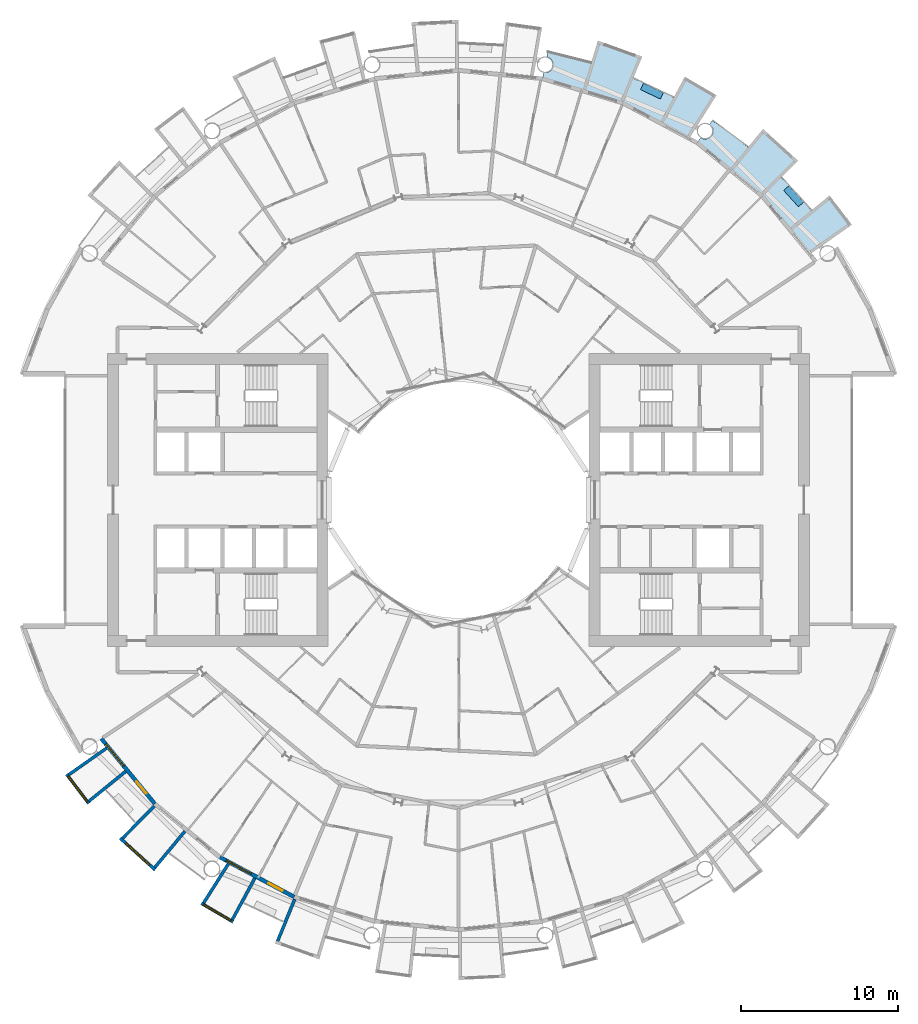
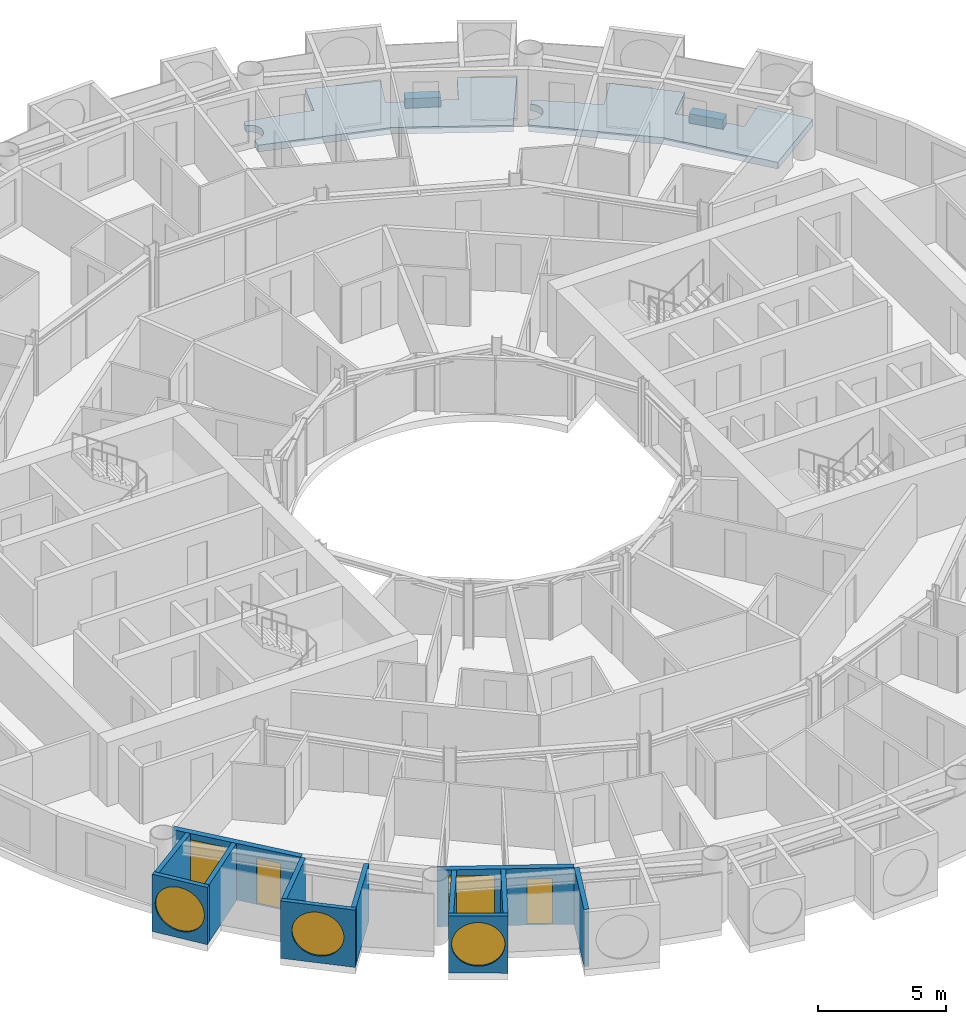
# One storey, part 12 of 26: 12 walls, 5 windows, 4 slabs, 2 doors, 7 openings.
"""IFC4 building model written with IfcOpenShell, lengths in metres."""

from ifc_helpers import new_model, si_unit, direction, frame, frame_2d, origin, place, context, subcontext, project, spatial, polyline, rectangle, circle, outline, extrude, material, layer, layer_set, type_object, element, fill, save


model = new_model("IFC4")

# Units and contexts
model_context = context("Model", 3, precision=1e-05, world=origin(), true_north=direction((0.0, 1.0)))
body_context = subcontext(model_context, "Body", "Model", "MODEL_VIEW")
ifc_project = project(units=[si_unit("LENGTHUNIT", "METRE"), si_unit("AREAUNIT", "SQUARE_METRE"), si_unit("VOLUMEUNIT", "CUBIC_METRE"), si_unit("PLANEANGLEUNIT", "RADIAN"), si_unit("MASSUNIT", "GRAM", prefix="KILO")], contexts=[model_context])

# Site, building, storey
site_placement = place(None, origin())
site = spatial("IfcSite", under=ifc_project, at=site_placement, CompositionType="ELEMENT")
building_placement = place(site_placement, origin())
building = spatial("IfcBuilding", under=site, at=building_placement, Name="Maasbend Ring Residences", CompositionType="ELEMENT")
storey_placement = place(building_placement, frame((0.0, 0.0, 72.75)))
storey = spatial("IfcBuildingStorey", under=building, at=storey_placement, Name="L20", CompositionType="ELEMENT", Elevation=72.75)

# Slabs
ifc_material_1 = material(Name="Planting with climbing greenery")
ifc_layer_1 = layer(ifc_material_1, 0.449951171875)
ifc_layer_set_1 = layer_set([ifc_layer_1], Name="PLANTER-LG")
slab_type_1 = type_object("IfcSlabType", Name="PLANTER-LG", PredefinedType="USERDEFINED", material=ifc_layer_set_1)
slab_1_placement = place(storey_placement, frame((0.0, 0.0, -0.030029296875)))
element("IfcSlab", 1, at=slab_1_placement, inside=storey, type_object=slab_type_1, Name="Planter with climbing greenery 1", ObjectType="PLANTER", PredefinedType="USERDEFINED", context=body_context, shape_type="SweptSolid", body=[
    extrude(outline(polyline([(21.931884765625, 18.93310546875), (20.991943359375, 19.969970703125), (20.657958984375, 19.66796875), (21.597900390625, 18.631103515625), (21.931884765625, 18.93310546875)])), origin(), (0.0, 0.0, 1.0), 0.449951171875),
])
slab_2_placement = place(storey_placement, frame((0.0, 0.0, -0.030029296875)))
element("IfcSlab", 2, at=slab_2_placement, inside=storey, type_object=slab_type_1, Name="Planter with climbing greenery 2", ObjectType="PLANTER", PredefinedType="USERDEFINED", context=body_context, shape_type="SweptSolid", body=[
    extrude(outline(polyline([(13.01708984375, 25.885009765625), (11.7509765625, 26.48291015625), (11.55908203125, 26.076904296875), (12.824951171875, 25.47802734375), (13.01708984375, 25.885009765625)])), origin(), (0.0, 0.0, 1.0), 0.449951171875),
])
ifc_material_2 = material(Name="Concrete C40/50", Category="concrete")
ifc_layer_2 = layer(ifc_material_2, 0.199951171875)
ifc_layer_set_2 = layer_set([ifc_layer_2], Name="Concrete C40/50")
slab_type_2 = type_object("IfcSlabType", Name="SL-LOGGIA", PredefinedType="FLOOR", material=ifc_layer_set_2)
slab_3_placement = place(storey_placement, frame((0.0, 0.0, -0.35009765625)))
element("IfcSlab", 3, at=slab_3_placement, inside=storey, type_object=slab_type_2, Name="Loggia floor 2", PredefinedType="FLOOR", context=body_context, shape_type="SweptSolid", body=[
    extrude(outline(polyline([(5.43896484375, 27.154052734375), (5.451904296875, 27.153076171875), (5.464111328125, 27.15087890625), (5.47705078125, 27.15087890625), (5.489013671875, 27.14990234375), (5.501953125, 27.14990234375), (5.513916015625, 27.14990234375), (5.52587890625, 27.15087890625), (5.5390625, 27.15087890625), (5.551025390625, 27.153076171875), (5.56396484375, 27.154052734375), (5.575927734375, 27.156005859375), (5.587890625, 27.157958984375), (5.60107421875, 27.159912109375), (5.613037109375, 27.162109375), (5.625, 27.1650390625), (5.636962890625, 27.1689453125), (5.64892578125, 27.172119140625), (5.660888671875, 27.176025390625), (5.673095703125, 27.179931640625), (5.68408203125, 27.18408203125), (5.696044921875, 27.18896484375), (5.70703125, 27.194091796875), (5.718994140625, 27.198974609375), (5.72998046875, 27.2041015625), (5.740966796875, 27.2099609375), (5.751953125, 27.216064453125), (5.762939453125, 27.221923828125), (5.77294921875, 27.22900390625), (5.783935546875, 27.236083984375), (5.7939453125, 27.242919921875), (5.803955078125, 27.25), (5.81396484375, 27.258056640625), (5.823974609375, 27.264892578125), (5.8330078125, 27.27294921875), (5.843017578125, 27.281982421875), (5.85205078125, 27.2900390625), (5.861083984375, 27.299072265625), (5.868896484375, 27.30810546875), (5.8779296875, 27.31689453125), (5.885986328125, 27.325927734375), (5.89404296875, 27.3359375), (5.902099609375, 27.345947265625), (5.909912109375, 27.35498046875), (5.9169921875, 27.365966796875), (5.924072265625, 27.3759765625), (5.930908203125, 27.385986328125), (5.93701171875, 27.39697265625), (5.944091796875, 27.407958984375), (5.949951171875, 27.4189453125), (5.955078125, 27.429931640625), (5.9609375, 27.44091796875), (5.966064453125, 27.451904296875), (5.970947265625, 27.464111328125), (5.97509765625, 27.47509765625), (5.97998046875, 27.487060546875), (5.98388671875, 27.4990234375), (5.988037109375, 27.510986328125), (5.990966796875, 27.52294921875), (5.993896484375, 27.534912109375), (5.9970703125, 27.547119140625), (6.0, 27.55908203125), (6.001953125, 27.571044921875), (6.00390625, 27.583984375), (6.006103515625, 27.595947265625), (6.007080078125, 27.60791015625), (6.008056640625, 27.62109375), (6.009033203125, 27.633056640625), (6.009033203125, 27.64599609375), (6.010009765625, 27.657958984375), (6.009033203125, 27.6708984375), (6.009033203125, 27.68310546875), (6.008056640625, 27.695068359375), (6.007080078125, 27.7080078125), (6.006103515625, 27.719970703125), (6.00390625, 27.73291015625), (6.001953125, 27.7451171875), (6.0, 27.757080078125), (5.9970703125, 27.76904296875), (5.993896484375, 27.781982421875), (5.990966796875, 27.7939453125), (5.988037109375, 27.805908203125), (5.98388671875, 27.81689453125), (5.97998046875, 27.8291015625), (5.97509765625, 27.841064453125), (5.970947265625, 27.85302734375), (5.966064453125, 27.864013671875), (5.9609375, 27.875), (5.955078125, 27.886962890625), (5.949951171875, 27.89794921875), (5.944091796875, 27.907958984375), (5.93701171875, 27.9189453125), (5.930908203125, 27.929931640625), (5.924072265625, 27.93994140625), (5.9169921875, 27.950927734375), (5.909912109375, 27.9609375), (5.902099609375, 27.970947265625), (5.89404296875, 27.97998046875), (5.885986328125, 27.989990234375), (5.8779296875, 27.9990234375), (5.868896484375, 28.008056640625), (5.861083984375, 28.01708984375), (5.85205078125, 28.02587890625), (5.843017578125, 28.034912109375), (5.8330078125, 28.04296875), (5.823974609375, 28.051025390625), (5.81396484375, 28.05908203125), (5.803955078125, 28.06591796875), (5.7939453125, 28.072998046875), (5.783935546875, 28.080078125), (5.77294921875, 28.0869140625), (5.762939453125, 28.093994140625), (5.751953125, 28.10009765625), (5.740966796875, 28.10595703125), (5.72998046875, 28.112060546875), (5.718994140625, 28.116943359375), (5.70703125, 28.123046875), (5.696044921875, 28.126953125), (5.68408203125, 28.132080078125), (5.673095703125, 28.135986328125), (5.660888671875, 28.139892578125), (5.64892578125, 28.14404296875), (5.636962890625, 28.14794921875), (5.625, 28.15087890625), (5.613037109375, 28.154052734375), (5.60107421875, 28.156005859375), (5.657958984375, 28.443115234375), (5.657958984375, 28.443115234375), (5.657958984375, 28.443115234375), (6.5849609375, 28.241943359375), (6.5849609375, 28.241943359375), (7.506103515625, 28.011962890625), (7.506103515625, 28.011962890625), (8.41796875, 27.7509765625), (8.41796875, 27.7509765625), (8.41796875, 27.7509765625), (8.41796875, 27.7509765625), (8.41796875, 27.7509765625), (8.41796875, 27.7509765625), (8.41796875, 27.7509765625), (8.41796875, 27.7509765625), (8.41796875, 27.7509765625), (8.41796875, 27.7509765625), (8.41796875, 27.751953125), (8.41796875, 27.751953125), (8.41796875, 27.751953125), (8.41796875, 27.751953125), (8.41796875, 27.751953125), (8.41796875, 27.751953125), (8.41796875, 27.751953125), (8.85400390625, 29.18701171875), (8.85400390625, 29.18701171875), (8.85400390625, 29.18701171875), (11.672119140625, 28.177978515625), (11.672119140625, 28.177978515625), (11.672119140625, 28.177978515625), (11.097900390625, 26.79296875), (11.097900390625, 26.79296875), (11.097900390625, 26.79296875), (11.097900390625, 26.79296875), (11.097900390625, 26.79296875), (11.097900390625, 26.79296875), (11.097900390625, 26.79296875), (11.097900390625, 26.79296875), (11.097900390625, 26.79296875), (11.097900390625, 26.79296875), (11.097900390625, 26.7919921875), (11.097900390625, 26.7919921875), (11.097900390625, 26.7919921875), (11.097900390625, 26.7919921875), (11.097900390625, 26.7919921875), (11.097900390625, 26.7919921875), (11.097900390625, 26.7919921875), (11.968994140625, 26.4150390625), (11.968994140625, 26.4150390625), (12.825927734375, 26.009033203125), (12.825927734375, 26.009033203125), (13.669921875, 25.575927734375), (13.669921875, 25.575927734375), (13.669921875, 25.575927734375), (13.669921875, 25.575927734375), (13.669921875, 25.575927734375), (13.669921875, 25.575927734375), (13.669921875, 25.575927734375), (13.669921875, 25.575927734375), (13.669921875, 25.575927734375), (13.669921875, 25.575927734375), (13.6708984375, 25.575927734375), (13.6708984375, 25.575927734375), (13.6708984375, 25.575927734375), (13.6708984375, 25.575927734375), (13.6708984375, 25.575927734375), (13.6708984375, 25.575927734375), (13.6708984375, 25.575927734375), (14.3779296875, 26.89892578125), (14.3779296875, 26.89892578125), (14.3779296875, 26.89892578125), (16.39404296875, 25.718994140625), (16.39404296875, 25.718994140625), (16.39404296875, 25.718994140625), (14.64599609375, 22.97705078125), (14.64599609375, 22.97705078125), (14.64599609375, 22.97705078125), (12.806884765625, 23.9609375), (10.447021484375, 25.221923828125), (10.447021484375, 25.221923828125), (10.447021484375, 25.221923828125), (7.886962890625, 25.9990234375), (5.325927734375, 26.77490234375), (5.325927734375, 26.77490234375), (5.325927734375, 26.77490234375), (5.402099609375, 27.159912109375), (5.4150390625, 27.157958984375), (5.427001953125, 27.156005859375), (5.43896484375, 27.154052734375)])), origin(), (0.0, 0.0, 1.0), 0.320068359375),
])
slab_4_placement = place(storey_placement, frame((0.0, 0.0, -0.35009765625)))
element("IfcSlab", 4, at=slab_4_placement, inside=storey, type_object=slab_type_2, Name="Loggia floor 4", PredefinedType="FLOOR", context=body_context, shape_type="SweptSolid", body=[
    extrude(outline(polyline([(15.406005859375, 23.011962890625), (15.4169921875, 23.0048828125), (15.427978515625, 22.9990234375), (15.43896484375, 22.993896484375), (15.449951171875, 22.988037109375), (15.4609375, 22.98291015625), (15.472900390625, 22.97802734375), (15.48388671875, 22.972900390625), (15.49609375, 22.968994140625), (15.508056640625, 22.965087890625), (15.52001953125, 22.9609375), (15.531982421875, 22.9580078125), (15.5439453125, 22.955078125), (15.555908203125, 22.951904296875), (15.568115234375, 22.948974609375), (15.580078125, 22.947021484375), (15.593017578125, 22.945068359375), (15.60498046875, 22.943115234375), (15.616943359375, 22.94189453125), (15.6298828125, 22.94091796875), (15.64208984375, 22.93994140625), (15.655029296875, 22.93994140625), (15.6669921875, 22.93896484375), (15.679931640625, 22.93994140625), (15.69189453125, 22.93994140625), (15.7041015625, 22.94091796875), (15.717041015625, 22.94189453125), (15.72900390625, 22.943115234375), (15.741943359375, 22.945068359375), (15.75390625, 22.947021484375), (15.76611328125, 22.948974609375), (15.778076171875, 22.951904296875), (15.791015625, 22.955078125), (15.802978515625, 22.9580078125), (15.81494140625, 22.9609375), (15.825927734375, 22.965087890625), (15.837890625, 22.968994140625), (15.85009765625, 22.972900390625), (15.862060546875, 22.97802734375), (15.873046875, 22.98291015625), (15.884033203125, 22.988037109375), (15.89599609375, 22.993896484375), (15.906982421875, 22.9990234375), (15.9169921875, 23.0048828125), (15.927978515625, 23.011962890625), (15.93896484375, 23.01806640625), (15.948974609375, 23.02490234375), (15.9599609375, 23.031982421875), (15.969970703125, 23.0390625), (15.97998046875, 23.047119140625), (15.989013671875, 23.054931640625), (15.9990234375, 23.06298828125), (16.008056640625, 23.071044921875), (16.01708984375, 23.0791015625), (16.02587890625, 23.087890625), (16.034912109375, 23.096923828125), (16.0439453125, 23.10595703125), (16.052001953125, 23.115966796875), (16.06005859375, 23.125), (16.068115234375, 23.135009765625), (16.074951171875, 23.14501953125), (16.08203125, 23.155029296875), (16.089111328125, 23.1650390625), (16.095947265625, 23.176025390625), (16.10302734375, 23.18603515625), (16.10888671875, 23.197021484375), (16.114990234375, 23.2080078125), (16.12109375, 23.218994140625), (16.1259765625, 23.22998046875), (16.132080078125, 23.241943359375), (16.135986328125, 23.2529296875), (16.14111328125, 23.264892578125), (16.14501953125, 23.27587890625), (16.14892578125, 23.2880859375), (16.153076171875, 23.300048828125), (16.156982421875, 23.31201171875), (16.159912109375, 23.323974609375), (16.1630859375, 23.3359375), (16.1650390625, 23.347900390625), (16.16796875, 23.361083984375), (16.169921875, 23.373046875), (16.1708984375, 23.385009765625), (16.173095703125, 23.39794921875), (16.174072265625, 23.409912109375), (16.174072265625, 23.422119140625), (16.175048828125, 23.43505859375), (16.175048828125, 23.447021484375), (16.175048828125, 23.4599609375), (16.174072265625, 23.471923828125), (16.174072265625, 23.485107421875), (16.173095703125, 23.4970703125), (16.1708984375, 23.510009765625), (16.169921875, 23.52197265625), (16.16796875, 23.533935546875), (16.1650390625, 23.547119140625), (16.1630859375, 23.55908203125), (16.159912109375, 23.571044921875), (16.156982421875, 23.5830078125), (16.153076171875, 23.594970703125), (16.14892578125, 23.60693359375), (16.14501953125, 23.618896484375), (16.14111328125, 23.6298828125), (16.135986328125, 23.64208984375), (16.132080078125, 23.653076171875), (16.1259765625, 23.6650390625), (16.12109375, 23.676025390625), (16.114990234375, 23.68701171875), (16.10888671875, 23.697998046875), (16.10302734375, 23.708984375), (16.095947265625, 23.718994140625), (16.089111328125, 23.72998046875), (16.08203125, 23.739990234375), (16.074951171875, 23.75), (16.068115234375, 23.760009765625), (16.06005859375, 23.77001953125), (16.052001953125, 23.779052734375), (16.0439453125, 23.7890625), (16.034912109375, 23.798095703125), (16.02587890625, 23.806884765625), (16.01708984375, 23.81494140625), (16.008056640625, 23.823974609375), (15.9990234375, 23.83203125), (15.989013671875, 23.840087890625), (15.97998046875, 23.847900390625), (15.969970703125, 23.85498046875), (15.9599609375, 23.863037109375), (15.948974609375, 23.8701171875), (15.948974609375, 23.8701171875), (16.112060546875, 24.113037109375), (16.112060546875, 24.113037109375), (16.112060546875, 24.113037109375), (16.89208984375, 23.572998046875), (16.89208984375, 23.572998046875), (17.654052734375, 23.007080078125), (17.654052734375, 23.007080078125), (18.39697265625, 22.41796875), (18.39697265625, 22.41796875), (18.39697265625, 22.41796875), (18.39697265625, 22.41796875), (18.39697265625, 22.41796875), (18.39697265625, 22.41796875), (18.39697265625, 22.41796875), (18.39697265625, 22.41796875), (18.39697265625, 22.41796875), (18.39697265625, 22.41796875), (18.39697265625, 22.41796875), (18.39794921875, 22.41796875), (18.39794921875, 22.41796875), (18.39794921875, 22.41796875), (18.39794921875, 22.41796875), (18.39794921875, 22.41796875), (18.39794921875, 22.41796875), (19.34912109375, 23.576904296875), (19.34912109375, 23.576904296875), (19.34912109375, 23.576904296875), (21.56689453125, 21.56689453125), (21.56689453125, 21.56689453125), (21.56689453125, 21.56689453125), (20.506103515625, 20.506103515625), (20.506103515625, 20.506103515625), (20.506103515625, 20.506103515625), (20.506103515625, 20.506103515625), (20.506103515625, 20.506103515625), (20.506103515625, 20.506103515625), (20.506103515625, 20.506103515625), (20.506103515625, 20.506103515625), (20.506103515625, 20.506103515625), (20.506103515625, 20.506103515625), (20.506103515625, 20.506103515625), (20.506103515625, 20.506103515625), (20.506103515625, 20.506103515625), (20.506103515625, 20.506103515625), (20.506103515625, 20.506103515625), (20.506103515625, 20.506103515625), (20.506103515625, 20.506103515625), (21.166015625, 19.823974609375), (21.166015625, 19.823974609375), (21.802978515625, 19.12109375), (21.802978515625, 19.12109375), (22.4169921875, 18.39794921875), (22.4169921875, 18.39794921875), (22.4169921875, 18.39794921875), (22.4169921875, 18.39794921875), (22.4169921875, 18.39794921875), (22.4169921875, 18.39794921875), (22.4169921875, 18.39794921875), (22.4169921875, 18.39794921875), (22.4169921875, 18.39794921875), (22.4169921875, 18.39794921875), (22.4169921875, 18.39794921875), (22.4169921875, 18.39794921875), (22.41796875, 18.39794921875), (22.41796875, 18.39794921875), (22.41796875, 18.39794921875), (22.41796875, 18.39794921875), (22.41796875, 18.39794921875), (23.576904296875, 19.34912109375), (23.576904296875, 19.34912109375), (23.576904296875, 19.34912109375), (24.989013671875, 17.488037109375), (24.989013671875, 17.488037109375), (24.989013671875, 17.488037109375), (22.324951171875, 15.623046875), (22.324951171875, 15.623046875), (22.324951171875, 15.623046875), (21.001953125, 17.236083984375), (19.303955078125, 19.303955078125), (19.303955078125, 19.303955078125), (19.303955078125, 19.303955078125), (17.236083984375, 21.001953125), (15.1669921875, 22.698974609375), (15.1669921875, 22.698974609375), (15.1669921875, 22.698974609375), (15.385009765625, 23.02490234375), (15.385009765625, 23.02490234375), (15.39501953125, 23.01806640625), (15.406005859375, 23.011962890625)])), origin(), (0.0, 0.0, 1.0), 0.320068359375),
])

# Wall, opening, window
ifc_material_3 = material(Name="Pale anodised aluminium panel", Category="aluminium")
ifc_layer_3 = layer(ifc_material_3, 0.199951171875)
ifc_layer_set_3 = layer_set([ifc_layer_3], Name="EW-BOX")
wall_type_1 = type_object("IfcWallType", Name="EW-BOX", PredefinedType="SOLIDWALL", material=ifc_layer_set_3)
wall_1_placement = place(storey_placement, frame((-24.908935546875, -17.427001953125, -0.030029296875), z_axis=(0.0, 0.0, 1.0), x_axis=(0.60418752353, -0.796842165306, 0.0)))
wall_1 = element("IfcWall", 5, at=wall_1_placement, inside=storey, type_object=wall_type_1, Name="Box front S01", PredefinedType="SOLIDWALL", context=body_context, shape_type="SweptSolid", body=[
    extrude(rectangle(XDim=2.3369140625, YDim=0.199951171875, at=frame_2d((1.16845703125, 0.0))), origin(), (0.0, 0.0, 1.0), 2.72998046875),
])
opening_1_placement = place(wall_1_placement, frame((0.128173828125, 0.0, 0.330078125)))
opening_1 = element("IfcOpeningElement", 6, at=opening_1_placement, cuts=wall_1, Name="Opening W-RD", PredefinedType="OPENING", context=body_context, shape_type="SweptSolid", body=[
    extrude(circle(Radius=1.0400390625, at=frame_2d((1.0400390625, 1.0400390625))), frame((0.0, 0.10986328125, 0.0), z_axis=(0.0, -1.0, 0.0), x_axis=(1.0, 0.0, 0.0)), (0.0, 0.0, 1.0), 0.219970703125),
])
ifc_material_4 = material(Name="Aluminium and clear glass", Category="aluminium")
window_type_1 = type_object("IfcWindowType", Name="W-RD", PartitioningType="SINGLE_PANEL", PredefinedType="WINDOW", material=ifc_material_4)
window_1_placement = place(opening_1_placement, origin())
window_1 = element("IfcWindow", 7, at=window_1_placement, inside=storey, type_object=window_type_1, Name="Round window S01", OverallHeight=2.080078125, OverallWidth=2.080078125, PartitioningType="SINGLE_PANEL", PredefinedType="WINDOW", context=body_context, shape_type="SweptSolid", body=[
    extrude(circle(Radius=1.0400390625, at=frame_2d((1.0400390625, 1.0400390625))), frame((0.0, 0.030029296875, 0.0), z_axis=(0.0, -1.0, 0.0), x_axis=(1.0, 0.0, 0.0)), (0.0, 0.0, 1.0), 0.06005859375),
])
fill(opening_1, window_1)

# Walls
wall_2_placement = place(storey_placement, frame((-22.3701171875, -15.764892578125, -0.030029296875), z_axis=(0.0, 0.0, 1.0), x_axis=(-0.817256123454, -0.576274612209, 0.0)))
element("IfcWall", 8, at=wall_2_placement, inside=storey, type_object=wall_type_1, Name="Box side wall S01 left", PredefinedType="SOLIDWALL", context=body_context, shape_type="SweptSolid", body=[
    extrude(rectangle(XDim=2.932861328125, YDim=0.199951171875, at=frame_2d((1.46630859375, 0.0))), origin(), (0.0, 0.0, 1.0), 2.72998046875),
])
wall_3_placement = place(storey_placement, frame((-21.155029296875, -17.24609375, -0.030029296875), z_axis=(0.0, 0.0, 1.0), x_axis=(-0.775179004516, -0.631741648902, 0.0)))
element("IfcWall", 9, at=wall_3_placement, inside=storey, type_object=wall_type_1, Name="Box side wall S01 right", PredefinedType="SOLIDWALL", context=body_context, shape_type="SweptSolid", body=[
    extrude(rectangle(XDim=3.005859375, YDim=0.199951171875, at=frame_2d((1.5029296875, 0.0))), origin(), (0.0, 0.0, 1.0), 2.72998046875),
])

# Wall, opening, window
wall_4_placement = place(storey_placement, frame((-21.5, -21.492919921875, -0.030029296875), z_axis=(0.0, 0.0, 1.0), x_axis=(0.740998365753, -0.671506829416, 0.0)))
wall_4 = element("IfcWall", 10, at=wall_4_placement, inside=storey, type_object=wall_type_1, Name="Box front S03", PredefinedType="SOLIDWALL", context=body_context, shape_type="SweptSolid", body=[
    extrude(rectangle(XDim=2.9931640625, YDim=0.199951171875, at=frame_2d((1.49658203125, 0.0))), origin(), (0.0, 0.0, 1.0), 2.72998046875),
])
opening_2_placement = place(wall_4_placement, frame((0.45654296875, 0.0, 0.330078125)))
opening_2 = element("IfcOpeningElement", 11, at=opening_2_placement, cuts=wall_4, Name="Opening W-RD", PredefinedType="OPENING", context=body_context, shape_type="SweptSolid", body=[
    extrude(circle(Radius=1.0400390625, at=frame_2d((1.0400390625, 1.0400390625))), frame((0.0, 0.10986328125, 0.0), z_axis=(0.0, -1.0, 0.0), x_axis=(1.0, 0.0, 0.0)), (0.0, 0.0, 1.0), 0.219970703125),
])
window_2_placement = place(opening_2_placement, origin())
window_2 = element("IfcWindow", 12, at=window_2_placement, inside=storey, type_object=window_type_1, Name="Round window S03", OverallHeight=2.080078125, OverallWidth=2.080078125, PartitioningType="SINGLE_PANEL", PredefinedType="WINDOW", context=body_context, shape_type="SweptSolid", body=[
    extrude(circle(Radius=1.0400390625, at=frame_2d((1.0400390625, 1.0400390625))), frame((0.0, 0.030029296875, 0.0), z_axis=(0.0, -1.0, 0.0), x_axis=(1.0, 0.0, 0.0)), (0.0, 0.0, 1.0), 0.06005859375),
])
fill(opening_2, window_2)

# Walls
wall_5_placement = place(storey_placement, frame((-19.322998046875, -19.449951171875, -0.030029296875), z_axis=(0.0, 0.0, 1.0), x_axis=(-0.704476739375, -0.709727076896, 0.0)))
element("IfcWall", 13, at=wall_5_placement, inside=storey, type_object=wall_type_1, Name="Box side wall S03 left", PredefinedType="SOLIDWALL", context=body_context, shape_type="SweptSolid", body=[
    extrude(rectangle(XDim=2.883056640625, YDim=0.199951171875, at=frame_2d((1.44140625, 0.0))), origin(), (0.0, 0.0, 1.0), 2.72998046875),
])
wall_6_placement = place(storey_placement, frame((-17.384033203125, -21.041015625, -0.030029296875), z_axis=(0.0, 0.0, 1.0), x_axis=(-0.63709551667, -0.770784861449, 0.0)))
element("IfcWall", 14, at=wall_6_placement, inside=storey, type_object=wall_type_1, Name="Box side wall S03 right", PredefinedType="SOLIDWALL", context=body_context, shape_type="SweptSolid", body=[
    extrude(rectangle(XDim=3.005859375, YDim=0.199951171875, at=frame_2d((1.5029296875, 0.0))), origin(), (0.0, 0.0, 1.0), 2.72998046875),
])

# Wall, opening, window
wall_7_placement = place(storey_placement, frame((-16.343994140625, -25.633056640625, -0.030029296875), z_axis=(0.0, 0.0, 1.0), x_axis=(0.863346521872, -0.504611517081, 0.0)))
wall_7 = element("IfcWall", 15, at=wall_7_placement, inside=storey, type_object=wall_type_1, Name="Box front S05", PredefinedType="SOLIDWALL", context=body_context, shape_type="SweptSolid", body=[
    extrude(rectangle(XDim=2.33642578125, YDim=0.199951171875, at=frame_2d((1.168212890625, 0.0))), origin(), (0.0, 0.0, 1.0), 2.72998046875),
])
opening_3_placement = place(wall_7_placement, frame((0.128173828125, 0.0, 0.330078125)))
opening_3 = element("IfcOpeningElement", 16, at=opening_3_placement, cuts=wall_7, Name="Opening W-RD", PredefinedType="OPENING", context=body_context, shape_type="SweptSolid", body=[
    extrude(circle(Radius=1.0400390625, at=frame_2d((1.0400390625, 1.0400390625))), frame((0.0, 0.10986328125, 0.0), z_axis=(0.0, -1.0, 0.0), x_axis=(1.0, 0.0, 0.0)), (0.0, 0.0, 1.0), 0.219970703125),
])
window_3_placement = place(opening_3_placement, origin())
window_3 = element("IfcWindow", 17, at=window_3_placement, inside=storey, type_object=window_type_1, Name="Round window S05", OverallHeight=2.080078125, OverallWidth=2.080078125, PartitioningType="SINGLE_PANEL", PredefinedType="WINDOW", context=body_context, shape_type="SweptSolid", body=[
    extrude(circle(Radius=1.0400390625, at=frame_2d((1.0400390625, 1.0400390625))), frame((0.0, 0.030029296875, 0.0), z_axis=(0.0, -1.0, 0.0), x_axis=(1.0, 0.0, 0.0)), (0.0, 0.0, 1.0), 0.06005859375),
])
fill(opening_3, window_3)

# Walls
wall_8_placement = place(storey_placement, frame((-14.635009765625, -23.1259765625, -0.030029296875), z_axis=(0.0, 0.0, 1.0), x_axis=(-0.534437802731, -0.845207805816, 0.0)))
element("IfcWall", 18, at=wall_8_placement, inside=storey, type_object=wall_type_1, Name="Box side wall S05 left", PredefinedType="SOLIDWALL", context=body_context, shape_type="SweptSolid", body=[
    extrude(rectangle(XDim=2.931884765625, YDim=0.199951171875, at=frame_2d((1.4658203125, 0.0))), origin(), (0.0, 0.0, 1.0), 2.72998046875),
])
wall_9_placement = place(storey_placement, frame((-12.945068359375, -24.029052734375, -0.030029296875), z_axis=(0.0, 0.0, 1.0), x_axis=(-0.474424310775, -0.88029629861, 0.0)))
element("IfcWall", 19, at=wall_9_placement, inside=storey, type_object=wall_type_1, Name="Box side wall S05 right", PredefinedType="SOLIDWALL", context=body_context, shape_type="SweptSolid", body=[
    extrude(rectangle(XDim=3.005859375, YDim=0.199951171875, at=frame_2d((1.5029296875, 0.0))), origin(), (0.0, 0.0, 1.0), 2.72998046875),
])
wall_10_placement = place(storey_placement, frame((-10.408935546875, -25.364013671875, -0.030029296875), z_axis=(0.0, 0.0, 1.0), x_axis=(-0.379509886562, -0.925187681501, 0.0)))
element("IfcWall", 20, at=wall_10_placement, inside=storey, type_object=wall_type_1, Name="Box side wall S07 left", PredefinedType="SOLIDWALL", context=body_context, shape_type="SweptSolid", body=[
    extrude(rectangle(XDim=2.882568359375, YDim=0.199951171875, at=frame_2d((1.44140625, 0.0))), origin(), (0.0, 0.0, 1.0), 2.72998046875),
])

# Wall, openings, door, window
ifc_material_5 = material(Name="Aluminium clad insulated panel", Category="aluminium")
ifc_layer_4 = layer(ifc_material_5, 0.25)
ifc_layer_set_4 = layer_set([ifc_layer_4], Name="EW-GL")
wall_type_2 = type_object("IfcWallType", Name="EW-GL", PredefinedType="SOLIDWALL", material=ifc_layer_set_4)
wall_11_placement = place(storey_placement, frame((-22.698974609375, -15.1669921875, 0.0), z_axis=(0.0, 0.0, 1.0), x_axis=(0.634382322723, -0.773019449054, 0.0)))
wall_11 = element("IfcWall", 21, at=wall_11_placement, inside=storey, type_object=wall_type_2, Name="External wall S01", PredefinedType="SOLIDWALL", context=body_context, shape_type="SweptSolid", body=[
    extrude(rectangle(XDim=5.351806640625, YDim=0.25, at=frame_2d((2.67578125, 0.0))), origin(), (0.0, 0.0, 1.0), 2.699951171875),
])
opening_4_placement = place(wall_11_placement, frame((0.441162109375, 0.0, 0.300048828125)))
opening_4 = element("IfcOpeningElement", 22, at=opening_4_placement, cuts=wall_11, Name="Opening W-BX", PredefinedType="OPENING", context=body_context, shape_type="SweptSolid", body=[
    extrude(rectangle(XDim=1.800048828125, YDim=2.10009765625, at=frame_2d((0.89990234375, 1.050048828125))), frame((0.0, 0.135009765625, 0.0), z_axis=(0.0, -1.0, 0.0), x_axis=(1.0, 0.0, 0.0)), (0.0, 0.0, 1.0), 0.27001953125),
])
opening_5_placement = place(wall_11_placement, frame((3.510498046875, 0.0, 0.0)))
opening_5 = element("IfcOpeningElement", 23, at=opening_5_placement, cuts=wall_11, Name="Opening D-LG", PredefinedType="OPENING", context=body_context, shape_type="SweptSolid", body=[
    extrude(rectangle(XDim=1.0, YDim=2.199951171875, at=frame_2d((0.5, 1.10009765625))), frame((0.0, 0.135009765625, 0.0), z_axis=(0.0, -1.0, 0.0), x_axis=(1.0, 0.0, 0.0)), (0.0, 0.0, 1.0), 0.27001953125),
])
ifc_material_6 = material(Name="Aluminium and clear glass", Category="aluminium")
door_type = type_object("IfcDoorType", Name="D-LG", OperationType="SINGLE_SWING_LEFT", PredefinedType="DOOR", material=ifc_material_6)
door_1_placement = place(opening_5_placement, origin())
door_1 = element("IfcDoor", 24, at=door_1_placement, inside=storey, type_object=door_type, Name="Loggia door S02", OperationType="SINGLE_SWING_LEFT", OverallHeight=2.199951171875, OverallWidth=1.0, PredefinedType="DOOR", context=body_context, shape_type="SweptSolid", body=[
    extrude(rectangle(XDim=1.0, YDim=2.199951171875, at=frame_2d((0.5, 1.10009765625))), frame((0.0, 0.02490234375, 0.0), z_axis=(0.0, -1.0, 0.0), x_axis=(1.0, 0.0, 0.0)), (0.0, 0.0, 1.0), 0.050048828125),
])
fill(opening_5, door_1)
ifc_material_7 = material(Name="Aluminium and clear glass", Category="aluminium")
window_type_2 = type_object("IfcWindowType", Name="W-BX", PartitioningType="DOUBLE_PANEL_VERTICAL", PredefinedType="WINDOW", material=ifc_material_7)
window_4_placement = place(opening_4_placement, origin())
window_4 = element("IfcWindow", 25, at=window_4_placement, inside=storey, type_object=window_type_2, Name="Window S01 room to box", OverallHeight=2.10009765625, OverallWidth=1.800048828125, PartitioningType="SINGLE_PANEL", PredefinedType="WINDOW", context=body_context, shape_type="SweptSolid", body=[
    extrude(rectangle(XDim=1.800048828125, YDim=2.10009765625, at=frame_2d((0.89990234375, 1.050048828125))), frame((0.0, 0.030029296875, 0.0), z_axis=(0.0, -1.0, 0.0), x_axis=(1.0, 0.0, 0.0)), (0.0, 0.0, 1.0), 0.06005859375),
])
fill(opening_4, window_4)

wall_12_placement = place(storey_placement, frame((-15.1669921875, -22.698974609375, 0.0), z_axis=(0.0, 0.0, 1.0), x_axis=(0.881915646801, -0.471407246368, 0.0)))
wall_12 = element("IfcWall", 26, at=wall_12_placement, inside=storey, type_object=wall_type_2, Name="External wall S03", PredefinedType="SOLIDWALL", context=body_context, shape_type="SweptSolid", body=[
    extrude(rectangle(XDim=5.35205078125, YDim=0.25, at=frame_2d((2.676025390625, 0.0))), origin(), (0.0, 0.0, 1.0), 2.699951171875),
])
opening_6_placement = place(wall_12_placement, frame((0.441162109375, 0.0, 0.300048828125)))
opening_6 = element("IfcOpeningElement", 27, at=opening_6_placement, cuts=wall_12, Name="Opening W-BX", PredefinedType="OPENING", context=body_context, shape_type="SweptSolid", body=[
    extrude(rectangle(XDim=1.800048828125, YDim=2.10009765625, at=frame_2d((0.89990234375, 1.050048828125))), frame((0.0, 0.135009765625, 0.0), z_axis=(0.0, -1.0, 0.0), x_axis=(1.0, 0.0, 0.0)), (0.0, 0.0, 1.0), 0.27001953125),
])
opening_7_placement = place(wall_12_placement, frame((3.510498046875, 0.0, 0.0)))
opening_7 = element("IfcOpeningElement", 28, at=opening_7_placement, cuts=wall_12, Name="Opening D-LG", PredefinedType="OPENING", context=body_context, shape_type="SweptSolid", body=[
    extrude(rectangle(XDim=1.0, YDim=2.199951171875, at=frame_2d((0.5, 1.10009765625))), frame((0.0, 0.135009765625, 0.0), z_axis=(0.0, -1.0, 0.0), x_axis=(1.0, 0.0, 0.0)), (0.0, 0.0, 1.0), 0.27001953125),
])
door_2_placement = place(opening_7_placement, origin())
door_2 = element("IfcDoor", 29, at=door_2_placement, inside=storey, type_object=door_type, Name="Loggia door S06", OperationType="SINGLE_SWING_LEFT", OverallHeight=2.199951171875, OverallWidth=1.0, PredefinedType="DOOR", context=body_context, shape_type="SweptSolid", body=[
    extrude(rectangle(XDim=1.0, YDim=2.199951171875, at=frame_2d((0.5, 1.10009765625))), frame((0.0, 0.02490234375, 0.0), z_axis=(0.0, -1.0, 0.0), x_axis=(1.0, 0.0, 0.0)), (0.0, 0.0, 1.0), 0.050048828125),
])
fill(opening_7, door_2)
window_5_placement = place(opening_6_placement, origin())
window_5 = element("IfcWindow", 30, at=window_5_placement, inside=storey, type_object=window_type_2, Name="Window S05 room to box", OverallHeight=2.10009765625, OverallWidth=1.800048828125, PartitioningType="SINGLE_PANEL", PredefinedType="WINDOW", context=body_context, shape_type="SweptSolid", body=[
    extrude(rectangle(XDim=1.800048828125, YDim=2.10009765625, at=frame_2d((0.89990234375, 1.050048828125))), frame((0.0, 0.030029296875, 0.0), z_axis=(0.0, -1.0, 0.0), x_axis=(1.0, 0.0, 0.0)), (0.0, 0.0, 1.0), 0.06005859375),
])
fill(opening_6, window_5)

save(model, "model.ifc")
